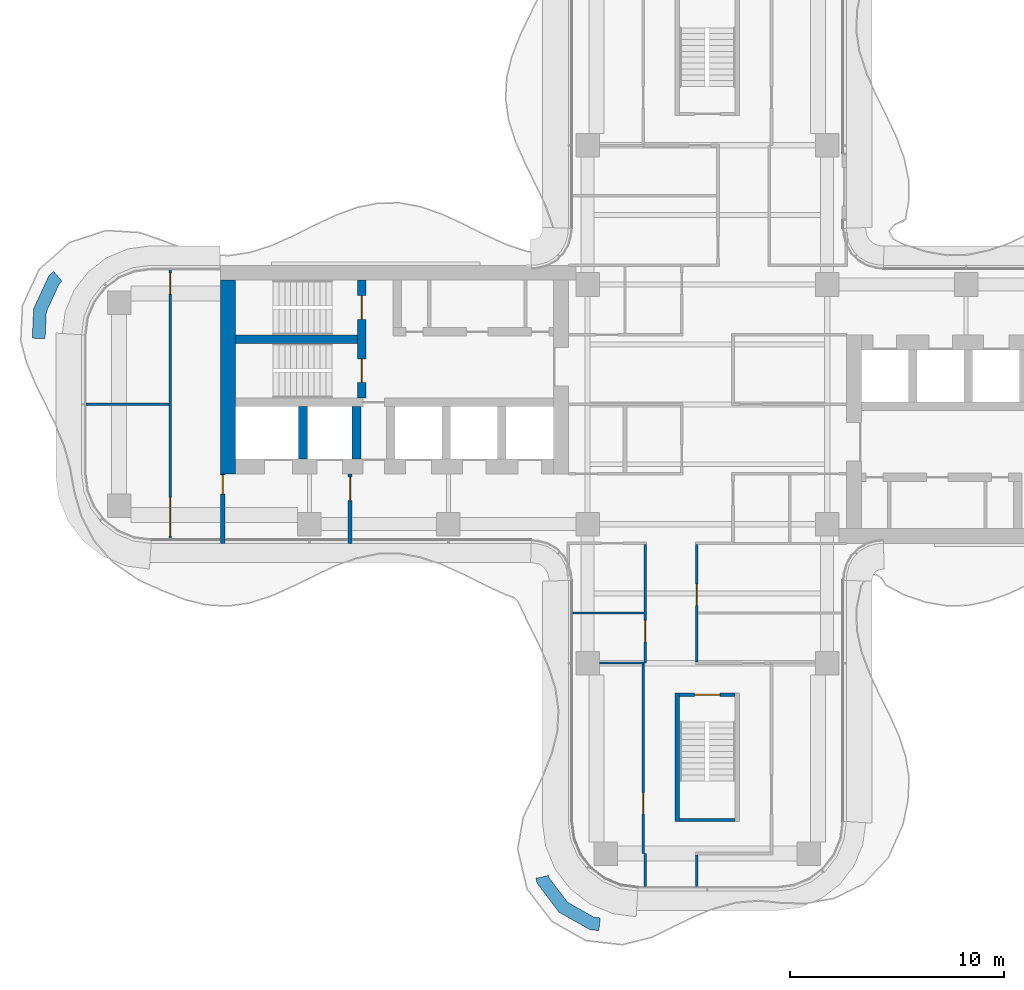
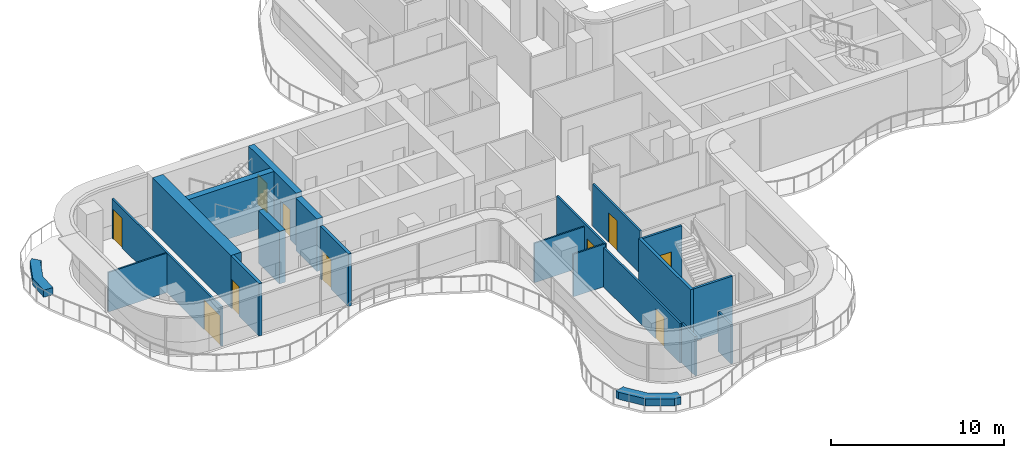
# One storey, part 11 of 17: 21 walls, 10 doors, 10 openings.
"""IFC4 building model written with IfcOpenShell, lengths in metres."""

from ifc_helpers import new_model, si_unit, direction, frame, frame_2d, origin, place, context, subcontext, project, spatial, polyline, rectangle, outline, extrude, source, transform, mapped, material, layer, layer_set, type_object, element, fill, save


model = new_model("IFC4")

# Units and contexts
model_context = context("Model", 3, precision=1e-05, world=origin(), true_north=direction((0.0, 1.0)))
body_context = subcontext(model_context, "Body", "Model", "MODEL_VIEW")
ifc_project = project(units=[si_unit("LENGTHUNIT", "METRE"), si_unit("AREAUNIT", "SQUARE_METRE"), si_unit("VOLUMEUNIT", "CUBIC_METRE"), si_unit("PLANEANGLEUNIT", "RADIAN"), si_unit("MASSUNIT", "GRAM", prefix="KILO")], contexts=[model_context])

# Site, building, storey
site_placement = place(None, origin())
site = spatial("IfcSite", under=ifc_project, at=site_placement, CompositionType="ELEMENT")
building_placement = place(site_placement, origin())
building = spatial("IfcBuilding", under=site, at=building_placement, Name="Trellis Farm Tower", CompositionType="ELEMENT")
storey_placement = place(building_placement, frame((0.0, 0.0, 259.699951171875)))
storey = spatial("IfcBuildingStorey", under=building, at=storey_placement, Name="L58", CompositionType="ELEMENT", Elevation=259.699951171875)

# Walls
ifc_material_1 = material(Name="Sandstone faced masonry planter", Category="masonry")
ifc_layer_1 = layer(ifc_material_1, 0.60009765625)
ifc_layer_set_1 = layer_set([ifc_layer_1], Name="PLANTER BED 600")
wall_type_1 = type_object("IfcWallType", Name="PLANTER BED 600", PredefinedType="USERDEFINED", material=ifc_layer_set_1)
placement = place(storey_placement, origin())
element("IfcWall", 1, at=placement, inside=storey, type_object=wall_type_1, Name="PLANTER bed", ObjectType="PLANTER", PredefinedType="USERDEFINED", context=body_context, shape_type="SweptSolid", body=[
    extrude(outline(polyline([(-5.4921875, -24.555908203125), (-6.941162109375, -23.7353515625), (-7.96240234375, -22.37451171875), (-8.01123046875, -22.156005859375), (-7.42578125, -22.025146484375), (-7.405029296875, -22.117919921875), (-6.536376953125, -23.27490234375), (-5.303955078125, -23.972900390625), (-5.004150390625, -24.005859375), (-5.06982421875, -24.602294921875), (-5.4921875, -24.555908203125)])), origin(), (0.0, 0.0, 1.0), 0.5),
])
element("IfcWall", 2, at=placement, inside=storey, type_object=wall_type_1, Name="PLANTER bed", ObjectType="PLANTER", PredefinedType="USERDEFINED", context=body_context, shape_type="SweptSolid", body=[
    extrude(outline(polyline([(-30.775390625, 6.019287109375), (-30.555908203125, 6.209716796875), (-30.1630859375, 5.755859375), (-30.28515625, 5.650390625), (-30.8984375, 4.3232421875), (-30.954833984375, 3.06591796875), (-31.55419921875, 3.0927734375), (-31.49267578125, 4.468017578125), (-30.775390625, 6.019287109375)])), origin(), (0.0, 0.0, 1.0), 0.5),
])
ifc_material_2 = material(Name="Concrete C60/75", Category="concrete")
ifc_layer_2 = layer(ifc_material_2, 0.699951171875)
ifc_layer_set_2 = layer_set([ifc_layer_2], Name="CORE OUTER WALL 700 CONCRETE C60/75")
wall_type_2 = type_object("IfcWallType", Name="CORE OUTER WALL 700 CONCRETE C60/75", PredefinedType="SHEAR", material=ifc_layer_set_2)
shared_shape_1 = source(origin(), body_context, "Body", "SweptSolid", [
    extrude(rectangle(XDim=9.050048828125, YDim=0.699951171875, at=frame_2d((4.52490234375, 0.0))), origin(), (0.0, 0.0, 1.0), 3.699951171875),
])
wall_3_placement = place(storey_placement, frame((-22.39990234375, 5.800048828125, 0.0), z_axis=(0.0, 0.0, 1.0), x_axis=(0.0, -1.0, 0.0)))
element("IfcWall", 3, at=wall_3_placement, inside=storey, type_object=wall_type_2, Name="Core wall", PredefinedType="SHEAR", context=body_context, shape_type="MappedRepresentation", body=[
    mapped(shared_shape_1, transform((0.0, 0.0, 0.0))),
])
ifc_layer_3 = layer(ifc_material_2, 0.39990234375)
ifc_layer_set_3 = layer_set([ifc_layer_3], Name="CORE INNER WALL 400 CONCRETE C60/75")
wall_type_3 = type_object("IfcWallType", Name="CORE INNER WALL 400 CONCRETE C60/75", PredefinedType="SHEAR", material=ifc_layer_set_3)
shared_shape_2 = source(origin(), body_context, "Body", "SweptSolid", [
    extrude(rectangle(XDim=2.449951171875, YDim=0.39990234375, at=frame_2d((1.22509765625, 0.0))), origin(), (0.0, 0.0, 1.0), 3.699951171875),
])
for number, where, z_axis, x_axis, name in (
    (4, (-16.39990234375, -0.10009765625, 0.0), (0.0, 0.0, 1.0), (0.0, -1.0, 0.0), "Core wall"),
    (5, (-18.89990234375, -0.10009765625, 0.0), (0.0, 0.0, 1.0), (0.0, -1.0, 0.0), "Core wall"),
):
    element("IfcWall", number, at=place(storey_placement, frame(where, z_axis=z_axis, x_axis=x_axis)), inside=storey, type_object=wall_type_3, Name=name, PredefinedType="SHEAR", context=body_context, shape_type="MappedRepresentation", body=[
        mapped(shared_shape_2, transform((0.0, 0.0, 0.0))),
    ])

# Wall, opening, door
ifc_material_3 = material(Name="Masonry blockwork", Category="masonry")
ifc_layer_4 = layer(ifc_material_3, 0.199951171875)
ifc_layer_set_4 = layer_set([ifc_layer_4], Name="FIRE LOBBY PARTITION 200 BLOCKWORK")
wall_type_4 = type_object("IfcWallType", Name="FIRE LOBBY PARTITION 200 BLOCKWORK", PredefinedType="PARTITIONING", material=ifc_layer_set_4)
shared_shape_3 = source(origin(), body_context, "Body", "SweptSolid", [
    extrude(rectangle(XDim=3.25, YDim=0.199951171875, at=frame_2d((1.625, 0.0))), origin(), (0.0, 0.0, 1.0), 3.699951171875),
])
wall_4_placement = place(storey_placement, frame((-16.699951171875, -3.25, 0.0), z_axis=(0.0, 0.0, 1.0), x_axis=(0.0, -1.0, 0.0)))
wall_4 = element("IfcWall", 6, at=wall_4_placement, inside=storey, type_object=wall_type_4, Name="Fire-fighting lobby partition", PredefinedType="PARTITIONING", context=body_context, shape_type="MappedRepresentation", body=[
    mapped(shared_shape_3, transform((0.0, 0.0, 0.0))),
])
shared_shape_4 = source(origin(), body_context, "Body", "SweptSolid", [
    extrude(rectangle(XDim=1.10009765625, YDim=2.10009765625, at=frame_2d((0.550048828125, 1.050048828125))), frame((0.0, 0.110107421875, 0.0), z_axis=(0.0, -1.0, 0.0), x_axis=(1.0, 0.0, 0.0)), (0.0, 0.0, 1.0), 0.22021484375),
])
opening_1_placement = place(wall_4_placement, frame((0.14990234375, 0.0, 0.0)))
opening_1 = element("IfcOpeningElement", 7, at=opening_1_placement, cuts=wall_4, Name="Opening DC93", PredefinedType="OPENING", context=body_context, shape_type="MappedRepresentation", body=[
    mapped(shared_shape_4, transform((0.0, 0.0, 0.0))),
])
ifc_material_4 = material(Name="Steel", Category="steel")
door_type_1 = type_object("IfcDoorType", Name="CORE FIRE DOOR 1100 X 2100", OperationType="NOTDEFINED", PredefinedType="DOOR", material=ifc_material_4)
shared_shape_5 = source(origin(), body_context, "Body", "SweptSolid", [
    extrude(rectangle(XDim=1.10009765625, YDim=2.10009765625, at=frame_2d((0.550048828125, 1.050048828125))), frame((0.0, 0.02490234375, 0.0), z_axis=(0.0, -1.0, 0.0), x_axis=(1.0, 0.0, 0.0)), (0.0, 0.0, 1.0), 0.050048828125),
])
door_1_placement = place(opening_1_placement, origin())
door_1 = element("IfcDoor", 8, at=door_1_placement, inside=storey, type_object=door_type_1, Name="Core door", OperationType="SINGLE_SWING_RIGHT", OverallHeight=2.10009765625, OverallWidth=1.10009765625, PredefinedType="DOOR", context=body_context, shape_type="MappedRepresentation", body=[
    mapped(shared_shape_5, transform((0.0, 0.0, 0.0))),
])
fill(opening_1, door_1)

wall_5_placement = place(storey_placement, frame((-22.64990234375, -3.25, 0.0), z_axis=(0.0, 0.0, 1.0), x_axis=(0.0, -1.0, 0.0)))
wall_5 = element("IfcWall", 9, at=wall_5_placement, inside=storey, type_object=wall_type_4, Name="Fire-fighting lobby partition", PredefinedType="PARTITIONING", context=body_context, shape_type="MappedRepresentation", body=[
    mapped(shared_shape_3, transform((0.0, 0.0, 0.0))),
])
shared_shape_6 = source(origin(), body_context, "Body", "SweptSolid", [
    extrude(rectangle(XDim=0.89990234375, YDim=2.10009765625, at=frame_2d((0.449951171875, 1.050048828125))), frame((0.0, 0.110107421875, 0.0), z_axis=(0.0, -1.0, 0.0), x_axis=(1.0, 0.0, 0.0)), (0.0, 0.0, 1.0), 0.22021484375),
])
opening_2_placement = place(wall_5_placement, frame((0.050048828125, 0.0, 0.0)))
opening_2 = element("IfcOpeningElement", 10, at=opening_2_placement, cuts=wall_5, Name="Opening DC94", PredefinedType="OPENING", context=body_context, shape_type="MappedRepresentation", body=[
    mapped(shared_shape_6, transform((0.0, 0.0, 0.0))),
])
door_type_2 = type_object("IfcDoorType", Name="CORE FIRE DOOR 900 X 2100", OperationType="NOTDEFINED", PredefinedType="DOOR", material=ifc_material_4)
shared_shape_7 = source(origin(), body_context, "Body", "SweptSolid", [
    extrude(rectangle(XDim=0.89990234375, YDim=2.10009765625, at=frame_2d((0.449951171875, 1.050048828125))), frame((0.0, 0.02490234375, 0.0), z_axis=(0.0, -1.0, 0.0), x_axis=(1.0, 0.0, 0.0)), (0.0, 0.0, 1.0), 0.050048828125),
])
door_2_placement = place(opening_2_placement, origin())
door_2 = element("IfcDoor", 11, at=door_2_placement, inside=storey, type_object=door_type_2, Name="Core door", OperationType="SINGLE_SWING_RIGHT", OverallHeight=2.10009765625, OverallWidth=0.89990234375, PredefinedType="DOOR", context=body_context, shape_type="MappedRepresentation", body=[
    mapped(shared_shape_7, transform((0.0, 0.0, 0.0))),
])
fill(opening_2, door_2)

# Wall, openings, doors
shared_shape_8 = source(origin(), body_context, "Body", "SweptSolid", [
    extrude(rectangle(XDim=5.5, YDim=0.39990234375, at=frame_2d((2.75, 0.0))), origin(), (0.0, 0.0, 1.0), 3.699951171875),
])
wall_6_placement = place(storey_placement, frame((-16.14990234375, 5.800048828125, 0.0), z_axis=(0.0, 0.0, 1.0), x_axis=(0.0, -1.0, 0.0)))
wall_6 = element("IfcWall", 12, at=wall_6_placement, inside=storey, type_object=wall_type_3, Name="Core wall", PredefinedType="SHEAR", context=body_context, shape_type="MappedRepresentation", body=[
    mapped(shared_shape_8, transform((0.0, 0.0, 0.0))),
])
shared_shape_9 = source(origin(), body_context, "Body", "SweptSolid", [
    extrude(rectangle(XDim=1.10009765625, YDim=2.10009765625, at=frame_2d((0.550048828125, 1.050048828125))), frame((0.0, 0.2099609375, 0.0), z_axis=(0.0, -1.0, 0.0), x_axis=(1.0, 0.0, 0.0)), (0.0, 0.0, 1.0), 0.419921875),
])
opening_3_placement = place(wall_6_placement, frame((0.72509765625, 0.0, 0.0)))
opening_3 = element("IfcOpeningElement", 13, at=opening_3_placement, cuts=wall_6, Name="Opening DC88", PredefinedType="OPENING", context=body_context, shape_type="MappedRepresentation", body=[
    mapped(shared_shape_9, transform((0.0, 0.0, 0.0))),
])
opening_4_placement = place(wall_6_placement, frame((3.675048828125, 0.0, 0.0)))
opening_4 = element("IfcOpeningElement", 14, at=opening_4_placement, cuts=wall_6, Name="Opening DC89", PredefinedType="OPENING", context=body_context, shape_type="MappedRepresentation", body=[
    mapped(shared_shape_9, transform((0.0, 0.0, 0.0))),
])
door_3_placement = place(opening_3_placement, origin())
door_3 = element("IfcDoor", 15, at=door_3_placement, inside=storey, type_object=door_type_1, Name="Core door", OperationType="SINGLE_SWING_RIGHT", OverallHeight=2.10009765625, OverallWidth=1.10009765625, PredefinedType="DOOR", context=body_context, shape_type="MappedRepresentation", body=[
    mapped(shared_shape_5, transform((0.0, 0.0, 0.0))),
])
fill(opening_3, door_3)
door_4_placement = place(opening_4_placement, origin())
door_4 = element("IfcDoor", 16, at=door_4_placement, inside=storey, type_object=door_type_1, Name="Core door", OperationType="SINGLE_SWING_LEFT", OverallHeight=2.10009765625, OverallWidth=1.10009765625, PredefinedType="DOOR", context=body_context, shape_type="MappedRepresentation", body=[
    mapped(shared_shape_5, transform((0.0, 0.0, 0.0))),
])
fill(opening_4, door_4)

# Walls
shared_shape_10 = source(origin(), body_context, "Body", "SweptSolid", [
    extrude(rectangle(XDim=5.699951171875, YDim=0.39990234375, at=frame_2d((2.85009765625, 0.0))), origin(), (0.0, 0.0, 1.0), 3.699951171875),
])
wall_7_placement = place(storey_placement, frame((-16.35009765625, 3.050048828125, 0.0), z_axis=(0.0, 0.0, 1.0), x_axis=(-1.0, 0.0, 0.0)))
element("IfcWall", 17, at=wall_7_placement, inside=storey, type_object=wall_type_3, Name="Core wall", PredefinedType="SHEAR", context=body_context, shape_type="MappedRepresentation", body=[
    mapped(shared_shape_10, transform((0.0, 0.0, 0.0))),
])
ifc_layer_5 = layer(ifc_material_2, 0.199951171875)
ifc_layer_set_5 = layer_set([ifc_layer_5], Name="CORE STAIR ENCLOSURE WALL 200 CONCRETE C60/75")
wall_type_5 = type_object("IfcWallType", Name="CORE STAIR ENCLOSURE WALL 200 CONCRETE C60/75", PredefinedType="SHEAR", material=ifc_layer_set_5)
shared_shape_11 = source(origin(), body_context, "Body", "SweptSolid", [
    extrude(rectangle(XDim=6.0, YDim=0.199951171875, at=frame_2d((3.0, 0.0))), origin(), (0.0, 0.0, 1.0), 3.699951171875),
])
wall_8_placement = place(storey_placement, frame((-1.39990234375, -13.5, 0.0), z_axis=(0.0, 0.0, 1.0), x_axis=(0.0, -1.0, 0.0)))
element("IfcWall", 18, at=wall_8_placement, inside=storey, type_object=wall_type_5, Name="Stair enclosure wall", PredefinedType="SHEAR", context=body_context, shape_type="MappedRepresentation", body=[
    mapped(shared_shape_11, transform((0.0, 0.0, 0.0))),
])

# Wall, opening, door
ifc_layer_6 = layer(ifc_material_2, 0.14990234375)
ifc_layer_set_6 = layer_set([ifc_layer_6], Name="CORE STAIR ENCLOSURE WALL 150 CONCRETE C60/75")
wall_type_6 = type_object("IfcWallType", Name="CORE STAIR ENCLOSURE WALL 150 CONCRETE C60/75", PredefinedType="SHEAR", material=ifc_layer_set_6)
shared_shape_12 = source(origin(), body_context, "Body", "SweptSolid", [
    extrude(rectangle(XDim=2.60009765625, YDim=0.14990234375, at=frame_2d((1.300048828125, 0.0))), origin(), (0.0, 0.0, 1.0), 3.699951171875),
])
wall_9_placement = place(storey_placement, frame((1.300048828125, -13.574951171875, 0.0), z_axis=(0.0, 0.0, 1.0), x_axis=(-1.0, 0.0, 0.0)))
wall_9 = element("IfcWall", 19, at=wall_9_placement, inside=storey, type_object=wall_type_6, Name="Stair enclosure wall", PredefinedType="SHEAR", context=body_context, shape_type="MappedRepresentation", body=[
    mapped(shared_shape_12, transform((0.0, 0.0, 0.0))),
])
shared_shape_13 = source(origin(), body_context, "Body", "SweptSolid", [
    extrude(rectangle(XDim=1.199951171875, YDim=2.10009765625, at=frame_2d((0.60009765625, 1.050048828125))), frame((0.0, 0.0849609375, 0.0), z_axis=(0.0, -1.0, 0.0), x_axis=(1.0, 0.0, 0.0)), (0.0, 0.0, 1.0), 0.169921875),
])
opening_5_placement = place(wall_9_placement, frame((0.699951171875, 0.0, 0.0)))
opening_5 = element("IfcOpeningElement", 20, at=opening_5_placement, cuts=wall_9, Name="Opening DC174", PredefinedType="OPENING", context=body_context, shape_type="MappedRepresentation", body=[
    mapped(shared_shape_13, transform((0.0, 0.0, 0.0))),
])
door_type_3 = type_object("IfcDoorType", Name="CORE FIRE DOOR 1200 X 2100", OperationType="NOTDEFINED", PredefinedType="DOOR", material=ifc_material_4)
shared_shape_14 = source(origin(), body_context, "Body", "SweptSolid", [
    extrude(rectangle(XDim=1.199951171875, YDim=2.10009765625, at=frame_2d((0.60009765625, 1.050048828125))), frame((0.0, 0.02490234375, 0.0), z_axis=(0.0, -1.0, 0.0), x_axis=(1.0, 0.0, 0.0)), (0.0, 0.0, 1.0), 0.050048828125),
])
door_5_placement = place(opening_5_placement, origin())
door_5 = element("IfcDoor", 21, at=door_5_placement, inside=storey, type_object=door_type_3, Name="Core door", OperationType="SINGLE_SWING_RIGHT", OverallHeight=2.10009765625, OverallWidth=1.199951171875, PredefinedType="DOOR", context=body_context, shape_type="MappedRepresentation", body=[
    mapped(shared_shape_14, transform((0.0, 0.0, 0.0))),
])
fill(opening_5, door_5)

# Wall
wall_10_placement = place(storey_placement, frame((1.300048828125, -19.425048828125, 0.0), z_axis=(0.0, 0.0, 1.0), x_axis=(-1.0, 0.0, 0.0)))
element("IfcWall", 22, at=wall_10_placement, inside=storey, type_object=wall_type_6, Name="Stair enclosure wall", PredefinedType="SHEAR", context=body_context, shape_type="MappedRepresentation", body=[
    mapped(shared_shape_12, transform((0.0, 0.0, 0.0))),
])

# Wall, opening, door
ifc_material_5 = material(Name="Plasterboard on steel studs, mineral wool", Category="steel")
ifc_layer_7 = layer(ifc_material_5, 0.125)
ifc_layer_set_7 = layer_set([ifc_layer_7], Name="PARTITION 125 STUD EI 60")
wall_type_7 = type_object("IfcWallType", Name="PARTITION 125 STUD EI 60", PredefinedType="PARTITIONING", material=ifc_layer_set_7)
shared_shape_15 = source(origin(), body_context, "Body", "SweptSolid", [
    extrude(rectangle(XDim=5.47509765625, YDim=0.125, at=frame_2d((2.737548828125, 0.0))), origin(), (0.0, 0.0, 1.0), 2.99658203125),
])
wall_11_placement = place(storey_placement, frame((-0.5, -6.5625, 0.0), z_axis=(0.0, 0.0, 1.0), x_axis=(0.0, -1.0, 0.0)))
wall_11 = element("IfcWall", 23, at=wall_11_placement, inside=storey, type_object=wall_type_7, Name="Partition PW1", PredefinedType="PARTITIONING", context=body_context, shape_type="MappedRepresentation", body=[
    mapped(shared_shape_15, transform((0.0, 0.0, 0.0))),
])
shared_shape_16 = source(origin(), body_context, "Body", "SweptSolid", [
    extrude(rectangle(XDim=1.0, YDim=2.10009765625, at=frame_2d((0.5, 1.050048828125))), frame((0.0, 0.072509765625, 0.0), z_axis=(0.0, -1.0, 0.0), x_axis=(1.0, 0.0, 0.0)), (0.0, 0.0, 1.0), 0.14501953125),
])
opening_6_placement = place(wall_11_placement, frame((1.83740234375, 0.0, 0.0)))
opening_6 = element("IfcOpeningElement", 24, at=opening_6_placement, cuts=wall_11, Name="Opening D104", PredefinedType="OPENING", context=body_context, shape_type="MappedRepresentation", body=[
    mapped(shared_shape_16, transform((0.0, 0.0, 0.0))),
])
ifc_material_6 = material(Name="Fire-rated timber door leaf in a hollow metal frame", Category="wood")
door_type_4 = type_object("IfcDoorType", Name="DOOR 1000x2100 FD30S", OperationType="NOTDEFINED", PredefinedType="DOOR", material=ifc_material_6)
shared_shape_17 = source(origin(), body_context, "Body", "SweptSolid", [
    extrude(rectangle(XDim=1.0, YDim=2.10009765625, at=frame_2d((0.5, 1.050048828125))), frame((0.0, 0.02490234375, 0.0), z_axis=(0.0, -1.0, 0.0), x_axis=(1.0, 0.0, 0.0)), (0.0, 0.0, 1.0), 0.050048828125),
])
door_6_placement = place(opening_6_placement, origin())
door_6 = element("IfcDoor", 25, at=door_6_placement, inside=storey, type_object=door_type_4, Name="Door D104", OperationType="SINGLE_SWING_RIGHT", OverallHeight=2.10009765625, OverallWidth=1.0, PredefinedType="DOOR", context=body_context, shape_type="MappedRepresentation", body=[
    mapped(shared_shape_17, transform((0.0, 0.0, 0.0))),
])
fill(opening_6, door_6)

shared_shape_18 = source(origin(), body_context, "Body", "SweptSolid", [
    extrude(rectangle(XDim=5.53759765625, YDim=0.125, at=frame_2d((2.768798828125, 0.0))), origin(), (0.0, 0.0, 1.0), 2.99658203125),
])
wall_12_placement = place(storey_placement, frame((-2.89990234375, -12.10009765625, 0.0), z_axis=(0.0, 0.0, 1.0), x_axis=(0.0, 1.0, 0.0)))
wall_12 = element("IfcWall", 26, at=wall_12_placement, inside=storey, type_object=wall_type_7, Name="Partition PW1", PredefinedType="PARTITIONING", context=body_context, shape_type="MappedRepresentation", body=[
    mapped(shared_shape_18, transform((0.0, 0.0, 0.0))),
])
opening_7_placement = place(wall_12_placement, frame((1.0, 0.0, 0.0)))
opening_7 = element("IfcOpeningElement", 27, at=opening_7_placement, cuts=wall_12, Name="Opening D103", PredefinedType="OPENING", context=body_context, shape_type="MappedRepresentation", body=[
    mapped(shared_shape_16, transform((0.0, 0.0, 0.0))),
])
door_7_placement = place(opening_7_placement, origin())
door_7 = element("IfcDoor", 28, at=door_7_placement, inside=storey, type_object=door_type_4, Name="Door D103", OperationType="SINGLE_SWING_RIGHT", OverallHeight=2.10009765625, OverallWidth=1.0, PredefinedType="DOOR", context=body_context, shape_type="MappedRepresentation", body=[
    mapped(shared_shape_17, transform((0.0, 0.0, 0.0))),
])
fill(opening_7, door_7)

# Wall, openings, doors
shared_shape_19 = source(origin(), body_context, "Body", "SweptSolid", [
    extrude(rectangle(XDim=12.60009765625, YDim=0.125, at=frame_2d((6.300048828125, 0.0))), origin(), (0.0, 0.0, 1.0), 2.780029296875),
])
wall_13_placement = place(storey_placement, frame((-25.10009765625, -6.300048828125, 0.0), z_axis=(0.0, 0.0, 1.0), x_axis=(0.0, 1.0, 0.0)))
wall_13 = element("IfcWall", 29, at=wall_13_placement, inside=storey, type_object=wall_type_7, Name="Partition PW1", PredefinedType="PARTITIONING", context=body_context, shape_type="MappedRepresentation", body=[
    mapped(shared_shape_19, transform((0.0, 0.0, 0.0))),
])
shared_shape_20 = source(origin(), body_context, "Body", "SweptSolid", [
    extrude(rectangle(XDim=1.800048828125, YDim=2.10009765625, at=frame_2d((0.89990234375, 1.050048828125))), frame((0.0, 0.072509765625, 0.0), z_axis=(0.0, -1.0, 0.0), x_axis=(1.0, 0.0, 0.0)), (0.0, 0.0, 1.0), 0.14501953125),
])
opening_8_placement = place(wall_13_placement, frame((0.14990234375, 0.0, 0.0)))
opening_8 = element("IfcOpeningElement", 30, at=opening_8_placement, cuts=wall_13, Name="Opening D202", PredefinedType="OPENING", context=body_context, shape_type="MappedRepresentation", body=[
    mapped(shared_shape_20, transform((0.0, 0.0, 0.0))),
])
opening_9_placement = place(wall_13_placement, frame((11.449951171875, 0.0, 0.0)))
opening_9 = element("IfcOpeningElement", 31, at=opening_9_placement, cuts=wall_13, Name="Opening D111", PredefinedType="OPENING", context=body_context, shape_type="MappedRepresentation", body=[
    mapped(shared_shape_16, transform((0.0, 0.0, 0.0))),
])
door_8_placement = place(opening_9_placement, origin())
door_8 = element("IfcDoor", 32, at=door_8_placement, inside=storey, type_object=door_type_4, Name="Door D111", OperationType="SINGLE_SWING_RIGHT", OverallHeight=2.10009765625, OverallWidth=1.0, PredefinedType="DOOR", context=body_context, shape_type="MappedRepresentation", body=[
    mapped(shared_shape_17, transform((0.0, 0.0, 0.0))),
])
fill(opening_9, door_8)
door_type_5 = type_object("IfcDoorType", Name="DOOR PAIR 1800x2100 FD30S", OperationType="NOTDEFINED", PredefinedType="DOOR", material=ifc_material_6)
shared_shape_21 = source(origin(), body_context, "Body", "SweptSolid", [
    extrude(rectangle(XDim=1.800048828125, YDim=2.10009765625, at=frame_2d((0.89990234375, 1.050048828125))), frame((0.0, 0.02490234375, 0.0), z_axis=(0.0, -1.0, 0.0), x_axis=(1.0, 0.0, 0.0)), (0.0, 0.0, 1.0), 0.050048828125),
])
door_9_placement = place(opening_8_placement, origin())
door_9 = element("IfcDoor", 33, at=door_9_placement, inside=storey, type_object=door_type_5, Name="Door D202", OperationType="DOUBLE_DOOR_SINGLE_SWING", OverallHeight=2.10009765625, OverallWidth=1.800048828125, PredefinedType="DOOR", context=body_context, shape_type="MappedRepresentation", body=[
    mapped(shared_shape_21, transform((0.0, 0.0, 0.0))),
])
fill(opening_8, door_9)

# Walls
ifc_material_7 = material(Name="Plasterboard on steel studs", Category="steel")
ifc_layer_8 = layer(ifc_material_7, 0.10009765625)
ifc_layer_set_8 = layer_set([ifc_layer_8], Name="PARTITION 100 STUD EI 30")
wall_type_8 = type_object("IfcWallType", Name="PARTITION 100 STUD EI 30", PredefinedType="PARTITIONING", material=ifc_layer_set_8)
shared_shape_22 = source(origin(), body_context, "Body", "SweptSolid", [
    extrude(rectangle(XDim=3.887451171875, YDim=0.10009765625, at=frame_2d((1.94384765625, 0.0))), origin(), (0.0, 0.0, 1.0), 2.780029296875),
])
wall_14_placement = place(storey_placement, frame((-29.050048828125, 0.0, 0.0), z_axis=(0.0, 0.0, 1.0), x_axis=(1.0, 0.0, 0.0)))
element("IfcWall", 34, at=wall_14_placement, inside=storey, type_object=wall_type_8, Name="Partition PW2", PredefinedType="PARTITIONING", context=body_context, shape_type="MappedRepresentation", body=[
    mapped(shared_shape_22, transform((0.0, 0.0, 0.0))),
])
shared_shape_23 = source(origin(), body_context, "Body", "SweptSolid", [
    extrude(rectangle(XDim=1.487548828125, YDim=0.125, at=frame_2d((0.74365234375, 0.0))), origin(), (0.0, 0.0, 1.0), 2.780029296875),
])
wall_15_placement = place(storey_placement, frame((-0.5, -21.0625, 0.0), z_axis=(0.0, 0.0, 1.0), x_axis=(0.0, -1.0, 0.0)))
element("IfcWall", 35, at=wall_15_placement, inside=storey, type_object=wall_type_7, Name="Partition PW1", PredefinedType="PARTITIONING", context=body_context, shape_type="MappedRepresentation", body=[
    mapped(shared_shape_23, transform((0.0, 0.0, 0.0))),
])
shared_shape_24 = source(origin(), body_context, "Body", "SweptSolid", [
    extrude(rectangle(XDim=1.550048828125, YDim=0.125, at=frame_2d((0.77490234375, 0.0))), origin(), (0.0, 0.0, 1.0), 2.780029296875),
])
wall_16_placement = place(storey_placement, frame((-2.89990234375, -22.550048828125, 0.0), z_axis=(0.0, 0.0, 1.0), x_axis=(0.0, 1.0, 0.0)))
element("IfcWall", 36, at=wall_16_placement, inside=storey, type_object=wall_type_7, Name="Partition PW1", PredefinedType="PARTITIONING", context=body_context, shape_type="MappedRepresentation", body=[
    mapped(shared_shape_24, transform((0.0, 0.0, 0.0))),
])
shared_shape_25 = source(origin(), body_context, "Body", "SweptSolid", [
    extrude(rectangle(XDim=2.112548828125, YDim=0.10009765625, at=frame_2d((1.05615234375, 0.0))), origin(), (0.0, 0.0, 1.0), 2.99658203125),
])
wall_17_placement = place(storey_placement, frame((-5.050048828125, -12.10009765625, 0.0), z_axis=(0.0, 0.0, 1.0), x_axis=(1.0, 0.0, 0.0)))
element("IfcWall", 37, at=wall_17_placement, inside=storey, type_object=wall_type_8, Name="Partition PW2", PredefinedType="PARTITIONING", context=body_context, shape_type="MappedRepresentation", body=[
    mapped(shared_shape_25, transform((0.0, 0.0, 0.0))),
])

# Wall, opening, door
shared_shape_26 = source(origin(), body_context, "Body", "SweptSolid", [
    extrude(rectangle(XDim=8.85009765625, YDim=0.125, at=frame_2d((4.425048828125, 0.0))), origin(), (0.0, 0.0, 1.0), 2.780029296875),
])
wall_18_placement = place(storey_placement, frame((-3.0, -21.0, 0.0), z_axis=(0.0, 0.0, 1.0), x_axis=(0.0, 1.0, 0.0)))
wall_18 = element("IfcWall", 38, at=wall_18_placement, inside=storey, type_object=wall_type_7, Name="Partition PW1", PredefinedType="PARTITIONING", context=body_context, shape_type="MappedRepresentation", body=[
    mapped(shared_shape_26, transform((0.0, 0.0, 0.0))),
])
opening_10_placement = place(wall_18_placement, frame((1.85009765625, 0.0, 0.0)))
opening_10 = element("IfcOpeningElement", 39, at=opening_10_placement, cuts=wall_18, Name="Opening D101", PredefinedType="OPENING", context=body_context, shape_type="MappedRepresentation", body=[
    mapped(shared_shape_16, transform((0.0, 0.0, 0.0))),
])
door_10_placement = place(opening_10_placement, origin())
door_10 = element("IfcDoor", 40, at=door_10_placement, inside=storey, type_object=door_type_4, Name="Door D101", OperationType="SINGLE_SWING_LEFT", OverallHeight=2.10009765625, OverallWidth=1.0, PredefinedType="DOOR", context=body_context, shape_type="MappedRepresentation", body=[
    mapped(shared_shape_17, transform((0.0, 0.0, 0.0))),
])
fill(opening_10, door_10)

# Wall
shared_shape_27 = source(origin(), body_context, "Body", "SweptSolid", [
    extrude(rectangle(XDim=3.337646484375, YDim=0.10009765625, at=frame_2d((1.6689453125, 0.0))), origin(), (0.0, 0.0, 1.0), 2.780029296875),
])
wall_19_placement = place(storey_placement, frame((-6.300048828125, -9.75, 0.0), z_axis=(0.0, 0.0, 1.0), x_axis=(1.0, 0.0, 0.0)))
element("IfcWall", 41, at=wall_19_placement, inside=storey, type_object=wall_type_8, Name="Partition PW2", PredefinedType="PARTITIONING", context=body_context, shape_type="MappedRepresentation", body=[
    mapped(shared_shape_27, transform((0.0, 0.0, 0.0))),
])

save(model, "model.ifc")
